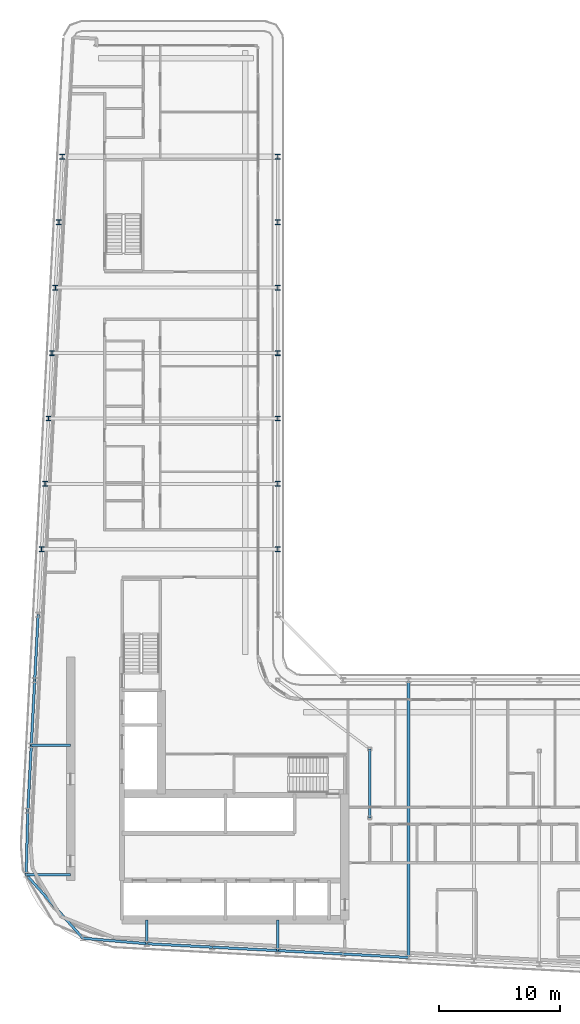
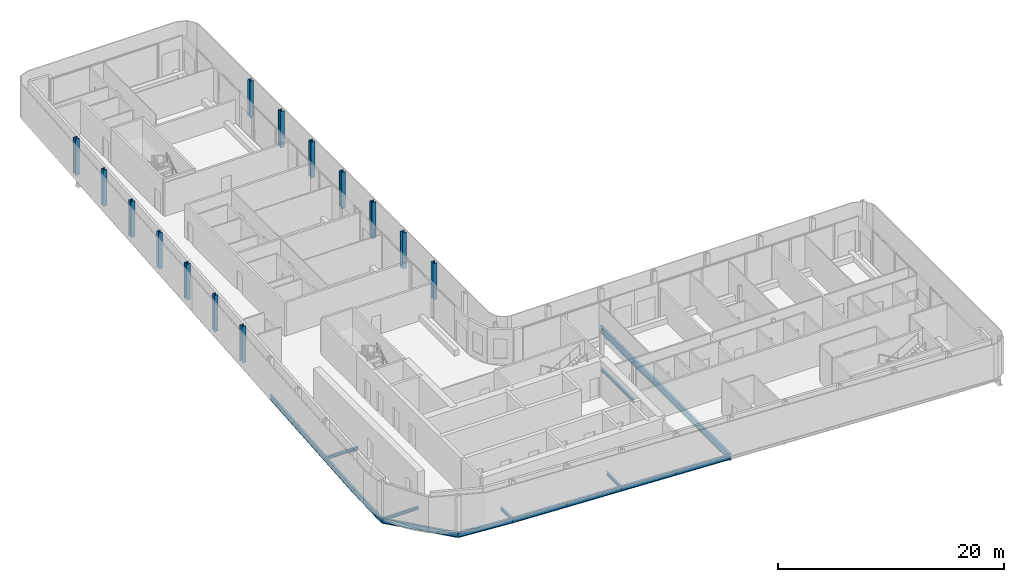
# One storey, part 3 of 22: 16 beams, 14 columns.
"""IFC4 building model written with IfcOpenShell, lengths in metres."""

from ifc_helpers import new_model, si_unit, direction, frame, origin, origin_2d, place, context, subcontext, project, spatial, i_section, extrude, material, material_profile, profile_set, type_object, element, save


model = new_model("IFC4")

# Units and contexts
model_context = context("Model", 3, precision=1e-05, world=origin(), true_north=direction((0.0, 1.0)))
body_context = subcontext(model_context, "Body", "Model", "MODEL_VIEW")
ifc_project = project(units=[si_unit("LENGTHUNIT", "METRE"), si_unit("AREAUNIT", "SQUARE_METRE"), si_unit("VOLUMEUNIT", "CUBIC_METRE"), si_unit("PLANEANGLEUNIT", "RADIAN"), si_unit("MASSUNIT", "GRAM", prefix="KILO")], contexts=[model_context])

# Site, building, storey
site_placement = place(None, origin())
site = spatial("IfcSite", under=ifc_project, at=site_placement, CompositionType="ELEMENT")
building_placement = place(site_placement, origin())
building = spatial("IfcBuilding", under=site, at=building_placement, Name="Kheshtan School and Residences Tower", CompositionType="ELEMENT")
storey_placement = place(building_placement, frame((0.0, 0.0, 251.300048828125)))
storey = spatial("IfcBuildingStorey", under=building, at=storey_placement, Name="L59", CompositionType="ELEMENT", Elevation=251.300048828125)

# Columns
ifc_material = material(Name="Steel ASTM A992 Grade 50", Category="steel")
ifc_material_profile_1 = material_profile(ifc_material, i_section(OverallWidth=0.404052734375, OverallDepth=0.406982421875, WebThickness=0.027099609375, FlangeThickness=0.043701171875, FilletRadius=0.01220703125, at=origin_2d()), Name="W360x347")
ifc_profile_set_1 = profile_set([ifc_material_profile_1], Name="Steel ASTM A992 Grade 50")
column_type = type_object("IfcColumnType", Name="Column C4 W360x347 ASTM A992 Grade 50", PredefinedType="COLUMN", material=ifc_profile_set_1)
for number, where, z_axis, x_axis, name in (
    (1, (28.10595703125, 56.39990234375, 0.0), (0.0, 0.0, 1.0), (1.0, 0.0, 0.0), "Column C080"),
    (2, (47.60009765625, 56.39990234375, 0.0), (0.0, 0.0, 1.0), (1.0, 0.0, 0.0), "Column C081"),
    (3, (28.389892578125, 61.800048828125, 0.0), (0.0, 0.0, 1.0), (1.0, 0.0, 0.0), "Column C082"),
    (4, (47.60009765625, 61.800048828125, 0.0), (0.0, 0.0, 1.0), (1.0, 0.0, 0.0), "Column C083"),
    (5, (28.674072265625, 67.199951171875, 0.0), (0.0, 0.0, 1.0), (1.0, 0.0, 0.0), "Column C084"),
    (6, (47.60009765625, 67.199951171875, 0.0), (0.0, 0.0, 1.0), (1.0, 0.0, 0.0), "Column C085"),
    (7, (28.9580078125, 72.60009765625, 0.0), (0.0, 0.0, 1.0), (1.0, 0.0, 0.0), "Column C086"),
    (8, (47.60009765625, 72.60009765625, 0.0), (0.0, 0.0, 1.0), (1.0, 0.0, 0.0), "Column C087"),
    (9, (29.242919921875, 78.0, 0.0), (0.0, 0.0, 1.0), (1.0, 0.0, 0.0), "Column C088"),
    (10, (47.60009765625, 78.0, 0.0), (0.0, 0.0, 1.0), (1.0, 0.0, 0.0), "Column C089"),
    (11, (29.527099609375, 83.39990234375, 0.0), (0.0, 0.0, 1.0), (1.0, 0.0, 0.0), "Column C090"),
    (12, (47.60009765625, 83.39990234375, 0.0), (0.0, 0.0, 1.0), (1.0, 0.0, 0.0), "Column C091"),
    (13, (29.81103515625, 88.800048828125, 0.0), (0.0, 0.0, 1.0), (1.0, 0.0, 0.0), "Column C098"),
    (14, (47.60009765625, 88.800048828125, 0.0), (0.0, 0.0, 1.0), (1.0, 0.0, 0.0), "Column C099"),
):
    element("IfcColumn", number, at=place(storey_placement, frame(where, z_axis=z_axis, x_axis=x_axis)), inside=storey, type_object=column_type, Name=name, PredefinedType="COLUMN", context=body_context, shape_type="SweptSolid", body=[
        extrude(i_section(OverallWidth=0.404052734375, OverallDepth=0.406982421875, WebThickness=0.027099609375, FlangeThickness=0.043701171875, FilletRadius=0.01220703125, at=origin_2d()), origin(), (0.0, 0.0, 1.0), 3.89990234375),
    ])

# Beams
ifc_material_profile_2 = material_profile(ifc_material, i_section(OverallWidth=0.202880859375, OverallDepth=0.302978515625, WebThickness=0.007568359375, FlangeThickness=0.01318359375, FilletRadius=0.009033203125, at=origin_2d()), Name="W310x60")
ifc_profile_set_2 = profile_set([ifc_material_profile_2], Name="Steel ASTM A992 Grade 50")
beam_type_1 = type_object("IfcBeamType", Name="Beam FB1 W310x60 ASTM A992 Grade 50", PredefinedType="BEAM", material=ifc_profile_set_2)
beam_1_placement = place(storey_placement, frame((47.60009765625, 23.263916015625, -0.301513671875), z_axis=(0.0, 1.0, 0.0), x_axis=(-1.0, 0.0, 0.0)))
element("IfcBeam", 15, at=beam_1_placement, inside=storey, type_object=beam_type_1, Name="Floor beam C020", PredefinedType="BEAM", context=body_context, shape_type="SweptSolid", body=[
    extrude(i_section(OverallWidth=0.202880859375, OverallDepth=0.302978515625, WebThickness=0.007568359375, FlangeThickness=0.01318359375, FilletRadius=0.009033203125, at=origin_2d()), origin(), (0.0, 0.0, 1.0), 2.5361328125),
])
beam_2_placement = place(storey_placement, frame((36.800048828125, 23.83203125, -0.301513671875), z_axis=(0.0, 1.0, 0.0), x_axis=(-1.0, 0.0, 0.0)))
element("IfcBeam", 16, at=beam_2_placement, inside=storey, type_object=beam_type_1, Name="Floor beam C022", PredefinedType="BEAM", context=body_context, shape_type="SweptSolid", body=[
    extrude(i_section(OverallWidth=0.202880859375, OverallDepth=0.302978515625, WebThickness=0.007568359375, FlangeThickness=0.01318359375, FilletRadius=0.009033203125, at=origin_2d()), origin(), (0.0, 0.0, 1.0), 1.968017578125),
])
beam_3_placement = place(storey_placement, frame((26.830078125, 29.5380859375, -0.301513671875), z_axis=(1.0, 0.0, 0.0), x_axis=(0.0, 1.0, 0.0)))
element("IfcBeam", 17, at=beam_3_placement, inside=storey, type_object=beam_type_1, Name="Floor beam C043", PredefinedType="BEAM", context=body_context, shape_type="SweptSolid", body=[
    extrude(i_section(OverallWidth=0.202880859375, OverallDepth=0.302978515625, WebThickness=0.007568359375, FlangeThickness=0.01318359375, FilletRadius=0.009033203125, at=origin_2d()), origin(), (0.0, 0.0, 1.0), 3.669921875),
])
beam_4_placement = place(storey_placement, frame((27.2529296875, 40.199951171875, -0.301513671875), z_axis=(1.0, 0.0, 0.0), x_axis=(0.0, 1.0, 0.0)))
element("IfcBeam", 18, at=beam_4_placement, inside=storey, type_object=beam_type_1, Name="Floor beam C056", PredefinedType="BEAM", context=body_context, shape_type="SweptSolid", body=[
    extrude(i_section(OverallWidth=0.202880859375, OverallDepth=0.302978515625, WebThickness=0.007568359375, FlangeThickness=0.01318359375, FilletRadius=0.009033203125, at=origin_2d()), origin(), (0.0, 0.0, 1.0), 3.2470703125),
])
beam_5_placement = place(storey_placement, frame((55.199951171875, 34.23193359375, -0.301513671875), z_axis=(0.0, 1.0, 0.0), x_axis=(-1.0, 0.0, 0.0)))
element("IfcBeam", 19, at=beam_5_placement, inside=storey, type_object=beam_type_1, Name="Floor beam IC", PredefinedType="BEAM", context=body_context, shape_type="SweptSolid", body=[
    extrude(i_section(OverallWidth=0.202880859375, OverallDepth=0.302978515625, WebThickness=0.007568359375, FlangeThickness=0.01318359375, FilletRadius=0.009033203125, at=origin_2d()), origin(), (0.0, 0.0, 1.0), 5.68408203125),
])
ifc_material_profile_3 = material_profile(ifc_material, i_section(OverallWidth=0.2529296875, OverallDepth=0.677978515625, WebThickness=0.01171875, FlangeThickness=0.016357421875, FilletRadius=0.0146484375, at=origin_2d()), Name="W690x125")
ifc_profile_set_3 = profile_set([ifc_material_profile_3], Name="Steel ASTM A992 Grade 50")
beam_type_2 = type_object("IfcBeamType", Name="Beam FB6 W690x125 ASTM A992 Grade 50", PredefinedType="BEAM", material=ifc_profile_set_3)
beam_6_placement = place(storey_placement, frame((58.39990234375, 22.695068359375, -0.489013671875), z_axis=(0.0, 1.0, 0.0), x_axis=(-1.0, 0.0, 0.0)))
element("IfcBeam", 20, at=beam_6_placement, inside=storey, type_object=beam_type_2, Name="Floor beam C018", PredefinedType="BEAM", context=body_context, shape_type="SweptSolid", body=[
    extrude(i_section(OverallWidth=0.2529296875, OverallDepth=0.677978515625, WebThickness=0.01171875, FlangeThickness=0.016357421875, FilletRadius=0.0146484375, at=origin_2d()), origin(), (0.0, 0.0, 1.0), 22.905029296875),
])
ifc_material_profile_4 = material_profile(ifc_material, i_section(OverallWidth=0.208984375, OverallDepth=0.532958984375, WebThickness=0.01025390625, FlangeThickness=0.015625, FilletRadius=0.013916015625, at=origin_2d()), Name="W530x92")
ifc_profile_set_4 = profile_set([ifc_material_profile_4], Name="Steel ASTM A992 Grade 50")
beam_type_3 = type_object("IfcBeamType", Name="Beam SP3 W530x92 ASTM A992 Grade 50", PredefinedType="BEAM", material=ifc_profile_set_4)
for number, where, z_axis, x_axis, name in (
    (21, (58.39990234375, 22.695068359375, -0.41650390625), (-0.998610961136, 0.052689166816, 0.0), (-0.052689166816, -0.998610961136, 0.0), "Spandrel beam C018-C019"),
    (22, (53.0, 22.97998046875, -0.41650390625), (-0.998620447272, 0.05250906864, 0.0), (-0.05250906864, -0.998620447272, 0.0), "Spandrel beam C019-C020"),
):
    element("IfcBeam", number, at=place(storey_placement, frame(where, z_axis=z_axis, x_axis=x_axis)), inside=storey, type_object=beam_type_3, Name=name, PredefinedType="BEAM", context=body_context, shape_type="SweptSolid", body=[
        extrude(i_section(OverallWidth=0.208984375, OverallDepth=0.532958984375, WebThickness=0.01025390625, FlangeThickness=0.015625, FilletRadius=0.013916015625, at=origin_2d()), origin(), (0.0, 0.0, 1.0), 5.407470703125),
    ])
beam_7_placement = place(storey_placement, frame((47.60009765625, 23.263916015625, -0.41650390625), z_axis=(-0.998618203458, 0.052551724256, 0.0), x_axis=(-0.052551724256, -0.998618203458, 0.0)))
element("IfcBeam", 23, at=beam_7_placement, inside=storey, type_object=beam_type_3, Name="Spandrel beam C020-C021", PredefinedType="BEAM", context=body_context, shape_type="SweptSolid", body=[
    extrude(i_section(OverallWidth=0.208984375, OverallDepth=0.532958984375, WebThickness=0.01025390625, FlangeThickness=0.015625, FilletRadius=0.013916015625, at=origin_2d()), origin(), (0.0, 0.0, 1.0), 5.40771484375),
])
beam_8_placement = place(storey_placement, frame((42.199951171875, 23.548095703125, -0.41650390625), z_axis=(-0.998620447272, 0.05250906864, 0.0), x_axis=(-0.05250906864, -0.998620447272, 0.0)))
element("IfcBeam", 24, at=beam_8_placement, inside=storey, type_object=beam_type_3, Name="Spandrel beam C021-C022", PredefinedType="BEAM", context=body_context, shape_type="SweptSolid", body=[
    extrude(i_section(OverallWidth=0.208984375, OverallDepth=0.532958984375, WebThickness=0.01025390625, FlangeThickness=0.015625, FilletRadius=0.013916015625, at=origin_2d()), origin(), (0.0, 0.0, 1.0), 5.407470703125),
])
beam_9_placement = place(storey_placement, frame((36.800048828125, 23.83203125, -0.41650390625), z_axis=(-0.996386672761, 0.084932904956, 0.0), x_axis=(-0.084932904956, -0.996386672761, 0.0)))
element("IfcBeam", 25, at=beam_9_placement, inside=storey, type_object=beam_type_3, Name="Spandrel beam C022-C030", PredefinedType="BEAM", context=body_context, shape_type="SweptSolid", body=[
    extrude(i_section(OverallWidth=0.208984375, OverallDepth=0.532958984375, WebThickness=0.01025390625, FlangeThickness=0.015625, FilletRadius=0.013916015625, at=origin_2d()), origin(), (0.0, 0.0, 1.0), 5.309326171875),
])
beam_10_placement = place(storey_placement, frame((31.510009765625, 24.282958984375, -0.41650390625), z_axis=(-0.66505480847, 0.746794551219, 0.0), x_axis=(-0.746794551219, -0.66505480847, 0.0)))
element("IfcBeam", 26, at=beam_10_placement, inside=storey, type_object=beam_type_3, Name="Spandrel beam C030-C043", PredefinedType="BEAM", context=body_context, shape_type="SweptSolid", body=[
    extrude(i_section(OverallWidth=0.208984375, OverallDepth=0.532958984375, WebThickness=0.01025390625, FlangeThickness=0.015625, FilletRadius=0.013916015625, at=origin_2d()), origin(), (0.0, 0.0, 1.0), 7.036865234375),
])
beam_11_placement = place(storey_placement, frame((26.830078125, 29.5380859375, -0.41650390625), z_axis=(0.026390842013, 0.999651701073, 0.0), x_axis=(-0.999651701073, 0.026390842013, 0.0)))
element("IfcBeam", 27, at=beam_11_placement, inside=storey, type_object=beam_type_3, Name="Spandrel beam C043-C052", PredefinedType="BEAM", context=body_context, shape_type="SweptSolid", body=[
    extrude(i_section(OverallWidth=0.208984375, OverallDepth=0.532958984375, WebThickness=0.01025390625, FlangeThickness=0.015625, FilletRadius=0.013916015625, at=origin_2d()), origin(), (0.0, 0.0, 1.0), 5.263916015625),
])
beam_12_placement = place(storey_placement, frame((26.968994140625, 34.800048828125, -0.41650390625), z_axis=(0.05250906864, 0.998620447272, 0.0), x_axis=(-0.998620447272, 0.05250906864, 0.0)))
element("IfcBeam", 28, at=beam_12_placement, inside=storey, type_object=beam_type_3, Name="Spandrel beam C052-C056", PredefinedType="BEAM", context=body_context, shape_type="SweptSolid", body=[
    extrude(i_section(OverallWidth=0.208984375, OverallDepth=0.532958984375, WebThickness=0.01025390625, FlangeThickness=0.015625, FilletRadius=0.013916015625, at=origin_2d()), origin(), (0.0, 0.0, 1.0), 5.407470703125),
])
beam_13_placement = place(storey_placement, frame((27.2529296875, 40.199951171875, -0.41650390625), z_axis=(0.052551724256, 0.998618203458, 0.0), x_axis=(-0.998618203458, 0.052551724256, 0.0)))
element("IfcBeam", 29, at=beam_13_placement, inside=storey, type_object=beam_type_3, Name="Spandrel beam C056-C059", PredefinedType="BEAM", context=body_context, shape_type="SweptSolid", body=[
    extrude(i_section(OverallWidth=0.208984375, OverallDepth=0.532958984375, WebThickness=0.01025390625, FlangeThickness=0.015625, FilletRadius=0.013916015625, at=origin_2d()), origin(), (0.0, 0.0, 1.0), 5.40771484375),
])
beam_14_placement = place(storey_placement, frame((27.537109375, 45.60009765625, -0.41650390625), z_axis=(0.052689166816, 0.998610961136, 0.0), x_axis=(-0.998610961136, 0.052689166816, 0.0)))
element("IfcBeam", 30, at=beam_14_placement, inside=storey, type_object=beam_type_3, Name="Spandrel beam C059-C078", PredefinedType="BEAM", context=body_context, shape_type="SweptSolid", body=[
    extrude(i_section(OverallWidth=0.208984375, OverallDepth=0.532958984375, WebThickness=0.01025390625, FlangeThickness=0.015625, FilletRadius=0.013916015625, at=origin_2d()), origin(), (0.0, 0.0, 1.0), 5.407470703125),
])

save(model, "model.ifc")
